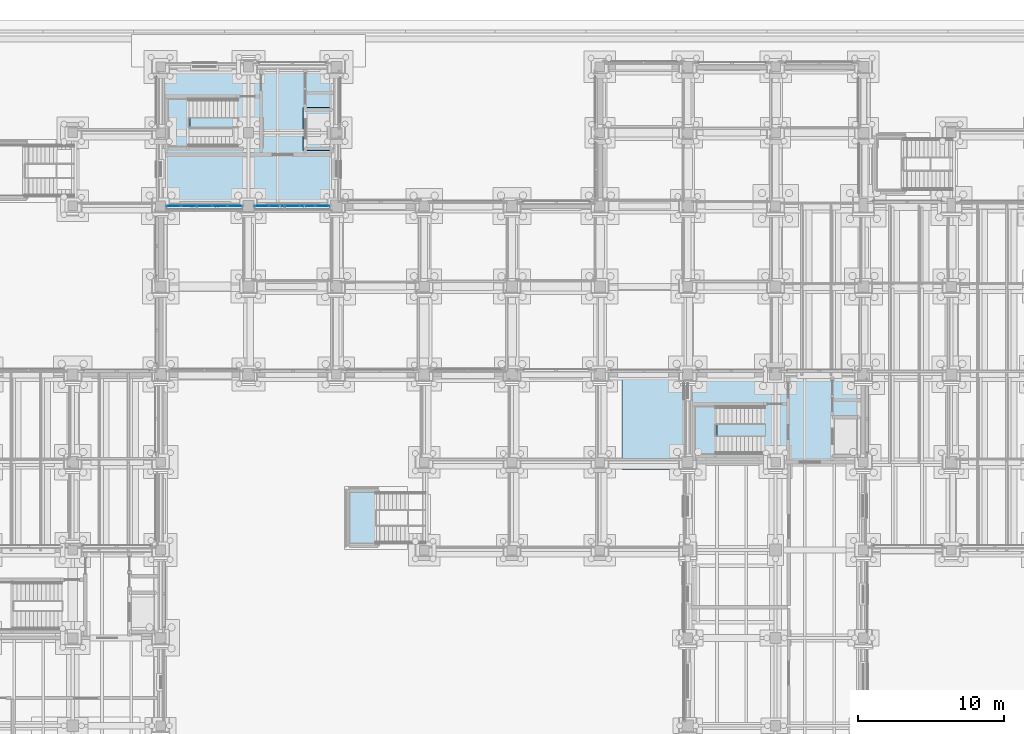
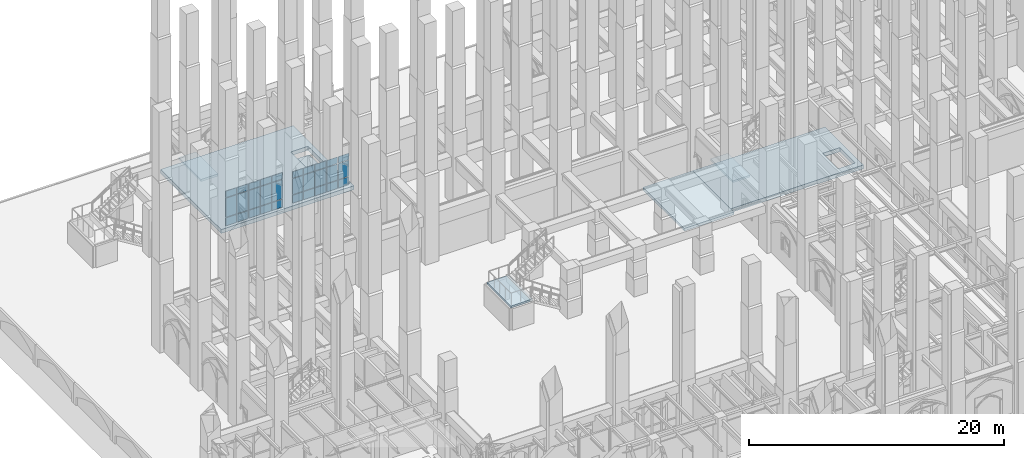
# One storey, part 53 of 135: 30 plates, 7 slabs, 5 elements without a shape of their own.
"""IFC4 building model written with IfcOpenShell, lengths in metres."""

from ifc_helpers import new_model, si_unit, direction, frame, origin, origin_2d, place, context, subcontext, project, spatial, polyline, rectangle, outline, extrude, material, layer, layer_set, type_object, element, aggregate, save


model = new_model("IFC4")

# Units and contexts
model_context = context("Model", 3, precision=1e-05, world=origin(), true_north=direction((0.0, 1.0)))
body_context = subcontext(model_context, "Body", "Model", "MODEL_VIEW")
ifc_project = project(units=[si_unit("LENGTHUNIT", "METRE"), si_unit("AREAUNIT", "SQUARE_METRE"), si_unit("VOLUMEUNIT", "CUBIC_METRE"), si_unit("PLANEANGLEUNIT", "RADIAN"), si_unit("MASSUNIT", "GRAM", prefix="KILO")], contexts=[model_context])

# Site, building, storey
site_placement = place(None, origin())
site = spatial("IfcSite", under=ifc_project, at=site_placement, CompositionType="ELEMENT")
building_placement = place(site_placement, origin())
building = spatial("IfcBuilding", under=site, at=building_placement, Name="Cumevento Cable Car Station", CompositionType="ELEMENT")
storey_placement = place(building_placement, origin())
storey = spatial("IfcBuildingStorey", under=building, at=storey_placement, Name="L01", CompositionType="ELEMENT", Elevation=0.0)

# Slabs
ifc_material_1 = material(Name="Concrete C40/50", Category="concrete")
ifc_layer_1 = layer(ifc_material_1, 0.2900390625)
ifc_layer_set_1 = layer_set([ifc_layer_1], Name="Concrete C40/50")
slab_type_1 = type_object("IfcSlabType", Name="Concrete Deck BS-290 290", PredefinedType="BASESLAB", material=ifc_layer_set_1)
slab_1_placement = place(storey_placement, frame((0.0, 0.0, -1.340087890625)))
element("IfcSlab", 1, at=slab_1_placement, inside=storey, type_object=slab_type_1, Name="Lift Pit Base Slab LF-04", PredefinedType="BASESLAB", context=body_context, shape_type="SweptSolid", body=[
    extrude(outline(polyline([(31.739990234375, 60.280029296875), (33.840087890625, 60.280029296875), (33.840087890625, 63.219970703125), (31.739990234375, 63.219970703125), (31.739990234375, 60.280029296875)])), origin(), (0.0, 0.0, 1.0), 0.2900390625),
])
ifc_material_2 = material(Name="Concrete C40/50", Category="concrete")
ifc_layer_2 = layer(ifc_material_2, 0.3701171875)
ifc_layer_set_2 = layer_set([ifc_layer_2], Name="Concrete C40/50")
slab_type_2 = type_object("IfcSlabType", Name="Concrete Deck BS-370 370", PredefinedType="BASESLAB", material=ifc_layer_set_2)
slab_2_placement = place(storey_placement, frame((0.0, 0.0, -0.3701171875)))
element("IfcSlab", 2, at=slab_2_placement, inside=storey, type_object=slab_type_2, Name="Base Slab BS-370 L01 B_V2c.1", PredefinedType="BASESLAB", context=body_context, shape_type="SweptSolid", body=[
    extrude(outline(polyline([(58.0, 39.0), (70.0, 39.0), (70.0, 45.0), (58.0, 45.0), (58.0, 39.0)]), holes=[polyline([(68.010009765625, 39.5400390625), (69.580078125, 39.5400390625), (69.580078125, 41.9599609375), (68.010009765625, 41.9599609375), (68.010009765625, 39.5400390625)])]), origin(), (0.0, 0.0, 1.0), 0.3701171875),
])
slab_3_placement = place(storey_placement, frame((0.0, 0.0, -0.3701171875)))
element("IfcSlab", 3, at=slab_3_placement, inside=storey, type_object=slab_type_2, Name="Base Slab BS-370 L01 B_V6d.1", PredefinedType="BASESLAB", context=body_context, shape_type="SweptSolid", body=[
    extrude(outline(polyline([(22.0, 56.5), (34.0, 56.5), (34.0, 66.0), (22.0, 66.0), (22.0, 56.5)]), holes=[polyline([(32.010009765625, 60.5400390625), (33.580078125, 60.5400390625), (33.580078125, 62.9599609375), (32.010009765625, 62.9599609375), (32.010009765625, 60.5400390625)])]), origin(), (0.0, 0.0, 1.0), 0.3701171875),
])
ifc_material_3 = material(Name="Concrete C40/50", Category="concrete")
ifc_layer_3 = layer(ifc_material_3, 0.25)
ifc_layer_set_3 = layer_set([ifc_layer_3], Name="Concrete C40/50")
slab_type_3 = type_object("IfcSlabType", Name="Exterior Apron Slab AP-250", PredefinedType="BASESLAB", material=ifc_layer_set_3)
slab_4_placement = place(storey_placement, frame((0.0, 0.0, -0.25)))
element("IfcSlab", 4, at=slab_4_placement, inside=storey, type_object=slab_type_3, Name="Exterior Paved Apron apron_C1_court #1", PredefinedType="BASESLAB", context=body_context, shape_type="SweptSolid", body=[
    extrude(outline(polyline([(53.5, 38.5), (53.5, 45.0), (57.989990234375, 45.0), (57.989990234375, 38.5), (53.5, 38.5)])), origin(), (0.0, 0.0, 1.0), 0.25),
])

# Curtain wall, plates
ifc_material_4 = material(Name="Anodised Bronze Aluminium AW-6063-T6", Category="aluminium")
ifc_layer_4 = layer(ifc_material_4, 0.159912109375)
ifc_layer_set_4 = layer_set([ifc_layer_4], Name="Anodised Bronze Aluminium AW-6063-T6")
curtain_wall_type_1 = type_object("IfcCurtainWallType", Name="Lancet Curtain Wall CW-01 1050", PredefinedType="NOTDEFINED", material=ifc_layer_set_4)
curtain_wall_1_placement = place(storey_placement, origin())
curtain_wall_1 = element("IfcCurtainWall", 5, at=curtain_wall_1_placement, inside=storey, type_object=curtain_wall_type_1, Name="Lancet Curtain Wall CW-01 L01 #16", PredefinedType="NOTDEFINED")
ifc_material_5 = material(Name="Solar Control Laminated Double Glazing", Category="glass")
ifc_layer_5 = layer(ifc_material_5, 0.030029296875)
ifc_layer_set_5 = layer_set([ifc_layer_5], Name="Solar Control Laminated Double Glazing")
plate_type_1 = type_object("IfcPlateType", Name="Glazed Panel CWP-03 30", PredefinedType="CURTAIN_PANEL", material=ifc_layer_set_5)
plate_1_placement = place(storey_placement, frame((27.081298828125, 56.5, 0.22509765625), z_axis=(0.0, 0.0, 1.0), x_axis=(-1.0, 0.0, 0.0)))
plate_1 = element("IfcPlate", 6, at=plate_1_placement, type_object=plate_type_1, Name="CW-01 panel 1.1", PredefinedType="CURTAIN_PANEL", context=body_context, shape_type="SweptSolid", body=[
    extrude(rectangle(XDim=0.95751953125, YDim=0.030029296875, at=origin_2d()), origin(), (0.0, 0.0, 1.0), 0.75244140625),
])
plate_2_placement = place(storey_placement, frame((27.081298828125, 56.5, 1.04248046875), z_axis=(0.0, 0.0, 1.0), x_axis=(-1.0, 0.0, 0.0)))
plate_2 = element("IfcPlate", 7, at=plate_2_placement, type_object=plate_type_1, Name="CW-01 panel 1.2", PredefinedType="CURTAIN_PANEL", context=body_context, shape_type="SweptSolid", body=[
    extrude(rectangle(XDim=0.95751953125, YDim=0.030029296875, at=origin_2d()), origin(), (0.0, 0.0, 1.0), 1.824951171875),
])
plate_3_placement = place(storey_placement, frame((27.081298828125, 56.5, 2.932373046875), z_axis=(0.0, 0.0, 1.0), x_axis=(-1.0, 0.0, 0.0)))
plate_3 = element("IfcPlate", 8, at=plate_3_placement, type_object=plate_type_1, Name="CW-01 panel 1.3", PredefinedType="CURTAIN_PANEL", context=body_context, shape_type="SweptSolid", body=[
    extrude(rectangle(XDim=0.95751953125, YDim=0.030029296875, at=origin_2d()), origin(), (0.0, 0.0, 1.0), 0.6025390625),
])
plate_4_placement = place(storey_placement, frame((26.04248046875, 56.5, 0.22509765625), z_axis=(0.0, 0.0, 1.0), x_axis=(-1.0, 0.0, 0.0)))
plate_4 = element("IfcPlate", 9, at=plate_4_placement, type_object=plate_type_1, Name="CW-01 panel 2.1", PredefinedType="CURTAIN_PANEL", context=body_context, shape_type="SweptSolid", body=[
    extrude(rectangle(XDim=0.989990234375, YDim=0.030029296875, at=origin_2d()), origin(), (0.0, 0.0, 1.0), 0.75244140625),
])
plate_5_placement = place(storey_placement, frame((26.04248046875, 56.5, 1.04248046875), z_axis=(0.0, 0.0, 1.0), x_axis=(-1.0, 0.0, 0.0)))
plate_5 = element("IfcPlate", 10, at=plate_5_placement, type_object=plate_type_1, Name="CW-01 panel 2.2", PredefinedType="CURTAIN_PANEL", context=body_context, shape_type="SweptSolid", body=[
    extrude(rectangle(XDim=0.989990234375, YDim=0.030029296875, at=origin_2d()), origin(), (0.0, 0.0, 1.0), 1.824951171875),
])
plate_6_placement = place(storey_placement, frame((26.04248046875, 56.5, 2.932373046875), z_axis=(0.0, 0.0, 1.0), x_axis=(-1.0, 0.0, 0.0)))
plate_6 = element("IfcPlate", 11, at=plate_6_placement, type_object=plate_type_1, Name="CW-01 panel 2.3", PredefinedType="CURTAIN_PANEL", context=body_context, shape_type="SweptSolid", body=[
    extrude(rectangle(XDim=0.989990234375, YDim=0.030029296875, at=origin_2d()), origin(), (0.0, 0.0, 1.0), 0.6025390625),
])
plate_7_placement = place(storey_placement, frame((24.987548828125, 56.5, 0.22509765625), z_axis=(0.0, 0.0, 1.0), x_axis=(-1.0, 0.0, 0.0)))
plate_7 = element("IfcPlate", 12, at=plate_7_placement, type_object=plate_type_1, Name="CW-01 panel 3.1", PredefinedType="CURTAIN_PANEL", context=body_context, shape_type="SweptSolid", body=[
    extrude(rectangle(XDim=0.989990234375, YDim=0.030029296875, at=origin_2d()), origin(), (0.0, 0.0, 1.0), 0.75244140625),
])
plate_8_placement = place(storey_placement, frame((24.987548828125, 56.5, 1.04248046875), z_axis=(0.0, 0.0, 1.0), x_axis=(-1.0, 0.0, 0.0)))
plate_8 = element("IfcPlate", 13, at=plate_8_placement, type_object=plate_type_1, Name="CW-01 panel 3.2", PredefinedType="CURTAIN_PANEL", context=body_context, shape_type="SweptSolid", body=[
    extrude(rectangle(XDim=0.989990234375, YDim=0.030029296875, at=origin_2d()), origin(), (0.0, 0.0, 1.0), 1.824951171875),
])
plate_9_placement = place(storey_placement, frame((24.987548828125, 56.5, 2.932373046875), z_axis=(0.0, 0.0, 1.0), x_axis=(-1.0, 0.0, 0.0)))
plate_9 = element("IfcPlate", 14, at=plate_9_placement, type_object=plate_type_1, Name="CW-01 panel 3.3", PredefinedType="CURTAIN_PANEL", context=body_context, shape_type="SweptSolid", body=[
    extrude(rectangle(XDim=0.989990234375, YDim=0.030029296875, at=origin_2d()), origin(), (0.0, 0.0, 1.0), 0.6025390625),
])
plate_10_placement = place(storey_placement, frame((23.9326171875, 56.5, 0.22509765625), z_axis=(0.0, 0.0, 1.0), x_axis=(-1.0, 0.0, 0.0)))
plate_10 = element("IfcPlate", 15, at=plate_10_placement, type_object=plate_type_1, Name="CW-01 panel 4.1", PredefinedType="CURTAIN_PANEL", context=body_context, shape_type="SweptSolid", body=[
    extrude(rectangle(XDim=0.989990234375, YDim=0.030029296875, at=origin_2d()), origin(), (0.0, 0.0, 1.0), 0.75244140625),
])
plate_11_placement = place(storey_placement, frame((23.9326171875, 56.5, 1.04248046875), z_axis=(0.0, 0.0, 1.0), x_axis=(-1.0, 0.0, 0.0)))
plate_11 = element("IfcPlate", 16, at=plate_11_placement, type_object=plate_type_1, Name="CW-01 panel 4.2", PredefinedType="CURTAIN_PANEL", context=body_context, shape_type="SweptSolid", body=[
    extrude(rectangle(XDim=0.989990234375, YDim=0.030029296875, at=origin_2d()), origin(), (0.0, 0.0, 1.0), 1.824951171875),
])
plate_12_placement = place(storey_placement, frame((23.9326171875, 56.5, 2.932373046875), z_axis=(0.0, 0.0, 1.0), x_axis=(-1.0, 0.0, 0.0)))
plate_12 = element("IfcPlate", 17, at=plate_12_placement, type_object=plate_type_1, Name="CW-01 panel 4.3", PredefinedType="CURTAIN_PANEL", context=body_context, shape_type="SweptSolid", body=[
    extrude(rectangle(XDim=0.989990234375, YDim=0.030029296875, at=origin_2d()), origin(), (0.0, 0.0, 1.0), 0.6025390625),
])
plate_13_placement = place(storey_placement, frame((22.893798828125, 56.5, 0.22509765625), z_axis=(0.0, 0.0, 1.0), x_axis=(-1.0, 0.0, 0.0)))
plate_13 = element("IfcPlate", 18, at=plate_13_placement, type_object=plate_type_1, Name="CW-01 panel 5.1", PredefinedType="CURTAIN_PANEL", context=body_context, shape_type="SweptSolid", body=[
    extrude(rectangle(XDim=0.95751953125, YDim=0.030029296875, at=origin_2d()), origin(), (0.0, 0.0, 1.0), 0.75244140625),
])
plate_14_placement = place(storey_placement, frame((22.893798828125, 56.5, 1.04248046875), z_axis=(0.0, 0.0, 1.0), x_axis=(-1.0, 0.0, 0.0)))
plate_14 = element("IfcPlate", 19, at=plate_14_placement, type_object=plate_type_1, Name="CW-01 panel 5.2", PredefinedType="CURTAIN_PANEL", context=body_context, shape_type="SweptSolid", body=[
    extrude(rectangle(XDim=0.95751953125, YDim=0.030029296875, at=origin_2d()), origin(), (0.0, 0.0, 1.0), 1.824951171875),
])
plate_15_placement = place(storey_placement, frame((22.893798828125, 56.5, 2.932373046875), z_axis=(0.0, 0.0, 1.0), x_axis=(-1.0, 0.0, 0.0)))
plate_15 = element("IfcPlate", 20, at=plate_15_placement, type_object=plate_type_1, Name="CW-01 panel 5.3", PredefinedType="CURTAIN_PANEL", context=body_context, shape_type="SweptSolid", body=[
    extrude(rectangle(XDim=0.95751953125, YDim=0.030029296875, at=origin_2d()), origin(), (0.0, 0.0, 1.0), 0.6025390625),
])
aggregate(curtain_wall_1, [plate_1, plate_2, plate_3, plate_4, plate_5, plate_6, plate_7, plate_8, plate_9, plate_10, plate_11, plate_12, plate_13, plate_14, plate_15])

ifc_material_6 = material(Name="Anodised Bronze Aluminium AW-6063-T6", Category="aluminium")
ifc_layer_6 = layer(ifc_material_6, 0.166015625)
ifc_layer_set_6 = layer_set([ifc_layer_6], Name="Anodised Bronze Aluminium AW-6063-T6")
curtain_wall_type_2 = type_object("IfcCurtainWallType", Name="Lancet Curtain Wall CW-02 1090", PredefinedType="NOTDEFINED", material=ifc_layer_set_6)
curtain_wall_2_placement = place(storey_placement, origin())
curtain_wall_2 = element("IfcCurtainWall", 21, at=curtain_wall_2_placement, inside=storey, type_object=curtain_wall_type_2, Name="Lancet Curtain Wall CW-02 L01 #17", PredefinedType="NOTDEFINED")
ifc_material_7 = material(Name="Solar Control Laminated Double Glazing", Category="glass")
ifc_layer_7 = layer(ifc_material_7, 0.033935546875)
ifc_layer_set_7 = layer_set([ifc_layer_7], Name="Solar Control Laminated Double Glazing")
plate_type_2 = type_object("IfcPlateType", Name="Glazed Panel CWP-04 34", PredefinedType="CURTAIN_PANEL", material=ifc_layer_set_7)
plate_16_placement = place(storey_placement, frame((33.061279296875, 56.5, 0.275146484375), z_axis=(0.0, 0.0, 1.0), x_axis=(-1.0, 0.0, 0.0)))
plate_16 = element("IfcPlate", 22, at=plate_16_placement, type_object=plate_type_2, Name="CW-02 panel 1.1", PredefinedType="CURTAIN_PANEL", context=body_context, shape_type="SweptSolid", body=[
    extrude(rectangle(XDim=0.947509765625, YDim=0.033935546875, at=origin_2d()), origin(), (0.0, 0.0, 1.0), 0.75244140625),
])
plate_17_placement = place(storey_placement, frame((33.061279296875, 56.5, 1.0927734375), z_axis=(0.0, 0.0, 1.0), x_axis=(-1.0, 0.0, 0.0)))
plate_17 = element("IfcPlate", 23, at=plate_17_placement, type_object=plate_type_2, Name="CW-02 panel 1.2", PredefinedType="CURTAIN_PANEL", context=body_context, shape_type="SweptSolid", body=[
    extrude(rectangle(XDim=0.947509765625, YDim=0.033935546875, at=origin_2d()), origin(), (0.0, 0.0, 1.0), 1.512939453125),
])
plate_18_placement = place(storey_placement, frame((33.061279296875, 56.5, 2.67041015625), z_axis=(0.0, 0.0, 1.0), x_axis=(-1.0, 0.0, 0.0)))
plate_18 = element("IfcPlate", 24, at=plate_18_placement, type_object=plate_type_2, Name="CW-02 panel 1.3", PredefinedType="CURTAIN_PANEL", context=body_context, shape_type="SweptSolid", body=[
    extrude(rectangle(XDim=0.947509765625, YDim=0.033935546875, at=origin_2d()), origin(), (0.0, 0.0, 1.0), 0.6025390625),
])
plate_19_placement = place(storey_placement, frame((32.032470703125, 56.5, 0.275146484375), z_axis=(0.0, 0.0, 1.0), x_axis=(-1.0, 0.0, 0.0)))
plate_19 = element("IfcPlate", 25, at=plate_19_placement, type_object=plate_type_2, Name="CW-02 panel 2.1", PredefinedType="CURTAIN_PANEL", context=body_context, shape_type="SweptSolid", body=[
    extrude(rectangle(XDim=0.97998046875, YDim=0.033935546875, at=origin_2d()), origin(), (0.0, 0.0, 1.0), 0.75244140625),
])
plate_20_placement = place(storey_placement, frame((32.032470703125, 56.5, 1.0927734375), z_axis=(0.0, 0.0, 1.0), x_axis=(-1.0, 0.0, 0.0)))
plate_20 = element("IfcPlate", 26, at=plate_20_placement, type_object=plate_type_2, Name="CW-02 panel 2.2", PredefinedType="CURTAIN_PANEL", context=body_context, shape_type="SweptSolid", body=[
    extrude(rectangle(XDim=0.97998046875, YDim=0.033935546875, at=origin_2d()), origin(), (0.0, 0.0, 1.0), 1.512939453125),
])
plate_21_placement = place(storey_placement, frame((32.032470703125, 56.5, 2.67041015625), z_axis=(0.0, 0.0, 1.0), x_axis=(-1.0, 0.0, 0.0)))
plate_21 = element("IfcPlate", 27, at=plate_21_placement, type_object=plate_type_2, Name="CW-02 panel 2.3", PredefinedType="CURTAIN_PANEL", context=body_context, shape_type="SweptSolid", body=[
    extrude(rectangle(XDim=0.97998046875, YDim=0.033935546875, at=origin_2d()), origin(), (0.0, 0.0, 1.0), 0.6025390625),
])
plate_22_placement = place(storey_placement, frame((30.987548828125, 56.5, 0.275146484375), z_axis=(0.0, 0.0, 1.0), x_axis=(-1.0, 0.0, 0.0)))
plate_22 = element("IfcPlate", 28, at=plate_22_placement, type_object=plate_type_2, Name="CW-02 panel 3.1", PredefinedType="CURTAIN_PANEL", context=body_context, shape_type="SweptSolid", body=[
    extrude(rectangle(XDim=0.97998046875, YDim=0.033935546875, at=origin_2d()), origin(), (0.0, 0.0, 1.0), 0.75244140625),
])
plate_23_placement = place(storey_placement, frame((30.987548828125, 56.5, 1.0927734375), z_axis=(0.0, 0.0, 1.0), x_axis=(-1.0, 0.0, 0.0)))
plate_23 = element("IfcPlate", 29, at=plate_23_placement, type_object=plate_type_2, Name="CW-02 panel 3.2", PredefinedType="CURTAIN_PANEL", context=body_context, shape_type="SweptSolid", body=[
    extrude(rectangle(XDim=0.97998046875, YDim=0.033935546875, at=origin_2d()), origin(), (0.0, 0.0, 1.0), 1.512939453125),
])
plate_24_placement = place(storey_placement, frame((30.987548828125, 56.5, 2.67041015625), z_axis=(0.0, 0.0, 1.0), x_axis=(-1.0, 0.0, 0.0)))
plate_24 = element("IfcPlate", 30, at=plate_24_placement, type_object=plate_type_2, Name="CW-02 panel 3.3", PredefinedType="CURTAIN_PANEL", context=body_context, shape_type="SweptSolid", body=[
    extrude(rectangle(XDim=0.97998046875, YDim=0.033935546875, at=origin_2d()), origin(), (0.0, 0.0, 1.0), 0.6025390625),
])
plate_25_placement = place(storey_placement, frame((29.9423828125, 56.5, 0.275146484375), z_axis=(0.0, 0.0, 1.0), x_axis=(-1.0, 0.0, 0.0)))
plate_25 = element("IfcPlate", 31, at=plate_25_placement, type_object=plate_type_2, Name="CW-02 panel 4.1", PredefinedType="CURTAIN_PANEL", context=body_context, shape_type="SweptSolid", body=[
    extrude(rectangle(XDim=0.97998046875, YDim=0.033935546875, at=origin_2d()), origin(), (0.0, 0.0, 1.0), 0.75244140625),
])
plate_26_placement = place(storey_placement, frame((29.9423828125, 56.5, 1.0927734375), z_axis=(0.0, 0.0, 1.0), x_axis=(-1.0, 0.0, 0.0)))
plate_26 = element("IfcPlate", 32, at=plate_26_placement, type_object=plate_type_2, Name="CW-02 panel 4.2", PredefinedType="CURTAIN_PANEL", context=body_context, shape_type="SweptSolid", body=[
    extrude(rectangle(XDim=0.97998046875, YDim=0.033935546875, at=origin_2d()), origin(), (0.0, 0.0, 1.0), 1.512939453125),
])
plate_27_placement = place(storey_placement, frame((29.9423828125, 56.5, 2.67041015625), z_axis=(0.0, 0.0, 1.0), x_axis=(-1.0, 0.0, 0.0)))
plate_27 = element("IfcPlate", 33, at=plate_27_placement, type_object=plate_type_2, Name="CW-02 panel 4.3", PredefinedType="CURTAIN_PANEL", context=body_context, shape_type="SweptSolid", body=[
    extrude(rectangle(XDim=0.97998046875, YDim=0.033935546875, at=origin_2d()), origin(), (0.0, 0.0, 1.0), 0.6025390625),
])
plate_28_placement = place(storey_placement, frame((28.913818359375, 56.5, 0.275146484375), z_axis=(0.0, 0.0, 1.0), x_axis=(-1.0, 0.0, 0.0)))
plate_28 = element("IfcPlate", 34, at=plate_28_placement, type_object=plate_type_2, Name="CW-02 panel 5.1", PredefinedType="CURTAIN_PANEL", context=body_context, shape_type="SweptSolid", body=[
    extrude(rectangle(XDim=0.947509765625, YDim=0.033935546875, at=origin_2d()), origin(), (0.0, 0.0, 1.0), 0.75244140625),
])
plate_29_placement = place(storey_placement, frame((28.913818359375, 56.5, 1.0927734375), z_axis=(0.0, 0.0, 1.0), x_axis=(-1.0, 0.0, 0.0)))
plate_29 = element("IfcPlate", 35, at=plate_29_placement, type_object=plate_type_2, Name="CW-02 panel 5.2", PredefinedType="CURTAIN_PANEL", context=body_context, shape_type="SweptSolid", body=[
    extrude(rectangle(XDim=0.947509765625, YDim=0.033935546875, at=origin_2d()), origin(), (0.0, 0.0, 1.0), 1.512939453125),
])
plate_30_placement = place(storey_placement, frame((28.913818359375, 56.5, 2.67041015625), z_axis=(0.0, 0.0, 1.0), x_axis=(-1.0, 0.0, 0.0)))
plate_30 = element("IfcPlate", 36, at=plate_30_placement, type_object=plate_type_2, Name="CW-02 panel 5.3", PredefinedType="CURTAIN_PANEL", context=body_context, shape_type="SweptSolid", body=[
    extrude(rectangle(XDim=0.947509765625, YDim=0.033935546875, at=origin_2d()), origin(), (0.0, 0.0, 1.0), 0.6025390625),
])
aggregate(curtain_wall_2, [plate_16, plate_17, plate_18, plate_19, plate_20, plate_21, plate_22, plate_23, plate_24, plate_25, plate_26, plate_27, plate_28, plate_29, plate_30])

# Stair, slab
ifc_material_8 = material(Name="Concrete C40/50", Category="concrete")
stair_type_1 = type_object("IfcStairType", Name="Half-Turn Stair ST-T01 1260", PredefinedType="HALF_TURN_STAIR", material=ifc_material_8)
stair_1_placement = place(storey_placement, origin())
stair_1 = element("IfcStair", 37, at=stair_1_placement, inside=storey, type_object=stair_type_1, Name="Enclosed Exit Stair ST-01 (L01 to L02)", PredefinedType="HALF_TURN_STAIR")
ifc_material_9 = material(Name="Concrete C40/50", Category="concrete")
ifc_layer_8 = layer(ifc_material_9, 0.18310546875)
ifc_layer_set_8 = layer_set([ifc_layer_8], Name="Concrete C40/50")
slab_type_4 = type_object("IfcSlabType", Name="Stair Landing STL-T01 183", PredefinedType="LANDING", material=ifc_layer_set_8)
slab_5_placement = place(storey_placement, frame((0.0, 0.0, 2.06689453125)))
slab_5 = element("IfcSlab", 38, at=slab_5_placement, type_object=slab_type_4, Name="ST-01-L01 Half-Landing", PredefinedType="LANDING", context=body_context, shape_type="SweptSolid", body=[
    extrude(outline(polyline([(58.43994140625, 39.43994140625), (60.0, 39.43994140625), (60.0, 42.929931640625), (58.43994140625, 42.929931640625), (58.43994140625, 39.43994140625)])), origin(), (0.0, 0.0, 1.0), 0.18310546875),
])
aggregate(stair_1, [slab_5])

stair_2_placement = place(storey_placement, origin())
stair_2 = element("IfcStair", 39, at=stair_2_placement, inside=storey, type_object=stair_type_1, Name="West Cloister Court Stepped Stone Stair L01-L02", PredefinedType="HALF_TURN_STAIR")
slab_6_placement = place(storey_placement, frame((0.0, 0.0, 2.06689453125)))
slab_6 = element("IfcSlab", 40, at=slab_6_placement, type_object=slab_type_4, Name="ST-14 Half-Landing", PredefinedType="LANDING", context=body_context, shape_type="SweptSolid", body=[
    extrude(outline(polyline([(34.820068359375, 33.320068359375), (36.800048828125, 33.320068359375), (36.800048828125, 37.080078125), (34.820068359375, 37.080078125), (34.820068359375, 33.320068359375)])), origin(), (0.0, 0.0, 1.0), 0.18310546875),
])
aggregate(stair_2, [slab_6])

ifc_material_10 = material(Name="Concrete C40/50", Category="concrete")
stair_type_2 = type_object("IfcStairType", Name="Half-Turn Stair ST-T04 1350", PredefinedType="HALF_TURN_STAIR", material=ifc_material_10)
stair_3_placement = place(storey_placement, origin())
stair_3 = element("IfcStair", 41, at=stair_3_placement, inside=storey, type_object=stair_type_2, Name="Enclosed Exit Stair ST-04 (L01 to L02)", PredefinedType="HALF_TURN_STAIR")
ifc_material_11 = material(Name="Concrete C40/50", Category="concrete")
ifc_layer_9 = layer(ifc_material_11, 0.20703125)
ifc_layer_set_9 = layer_set([ifc_layer_9], Name="Concrete C40/50")
slab_type_5 = type_object("IfcSlabType", Name="Stair Landing STL-T04 207", PredefinedType="LANDING", material=ifc_layer_set_9)
slab_7_placement = place(storey_placement, frame((0.0, 0.0, 2.04296875)))
slab_7 = element("IfcSlab", 42, at=slab_7_placement, type_object=slab_type_5, Name="ST-04-L01 Half-Landing", PredefinedType="LANDING", context=body_context, shape_type="SweptSolid", body=[
    extrude(outline(polyline([(22.43994140625, 60.43994140625), (24.0, 60.43994140625), (24.0, 63.929931640625), (22.43994140625, 63.929931640625), (22.43994140625, 60.43994140625)])), origin(), (0.0, 0.0, 1.0), 0.20703125),
])
aggregate(stair_3, [slab_7])

save(model, "model.ifc")
